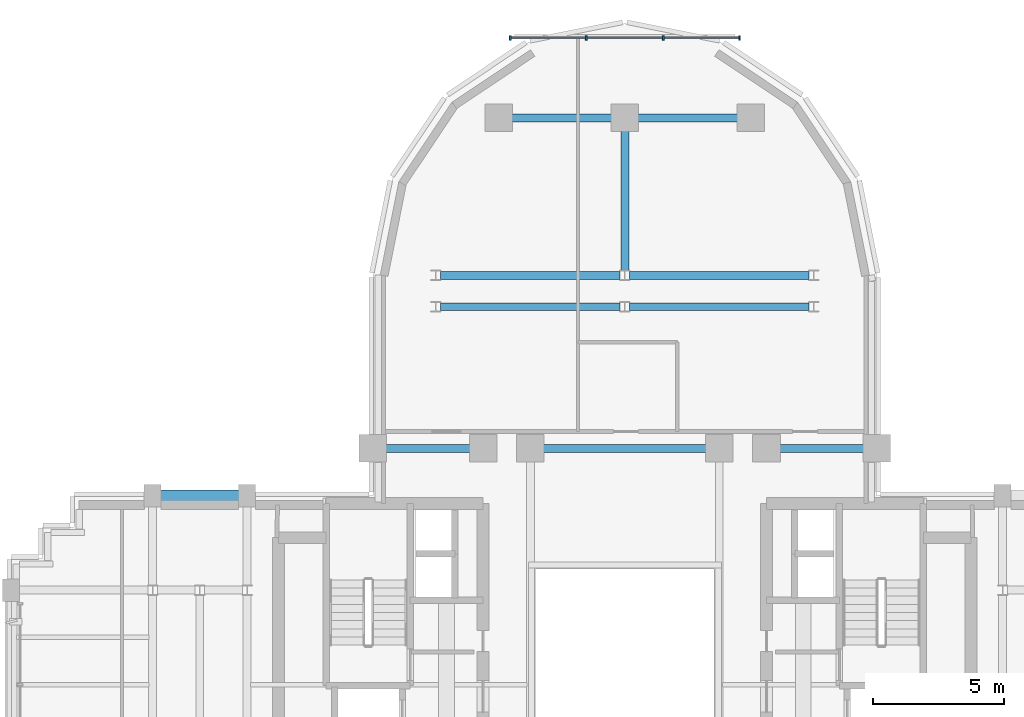
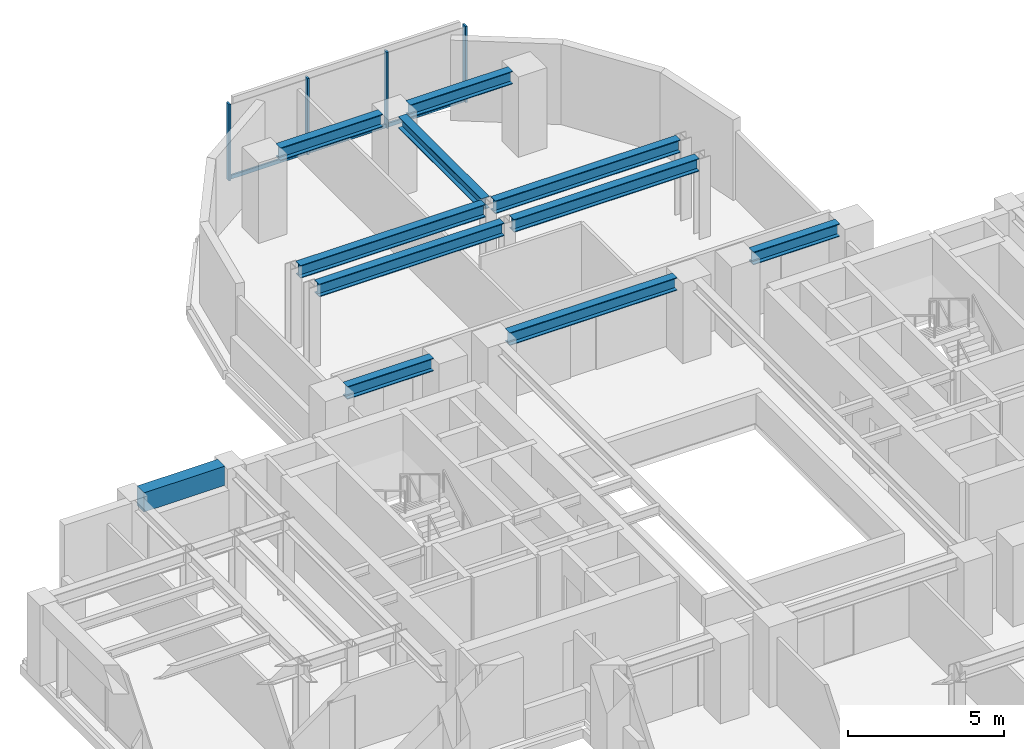
# One storey, part 6 of 13: 11 beams, 7 members, 1 element without a shape of its own.
"""IFC4 building model written with IfcOpenShell, lengths in metres."""

from ifc_helpers import new_model, si_unit, direction, frame, origin, origin_2d, place, context, subcontext, project, spatial, rectangle, i_section, extrude, source, transform, mapped, material, material_profile, profile_set, type_object, element, aggregate, save


model = new_model("IFC4")

# Units and contexts
model_context = context("Model", 3, precision=1e-05, world=origin(), true_north=direction((0.0, 1.0)))
body_context = subcontext(model_context, "Body", "Model", "MODEL_VIEW")
ifc_project = project(units=[si_unit("LENGTHUNIT", "METRE"), si_unit("AREAUNIT", "SQUARE_METRE"), si_unit("VOLUMEUNIT", "CUBIC_METRE"), si_unit("PLANEANGLEUNIT", "RADIAN"), si_unit("MASSUNIT", "GRAM", prefix="KILO")], contexts=[model_context])

# Site, building, storey
site_placement = place(None, origin())
site = spatial("IfcSite", under=ifc_project, at=site_placement, CompositionType="ELEMENT")
building_placement = place(site_placement, origin())
building = spatial("IfcBuilding", under=site, at=building_placement, Name="Keilestroom Media Tower", CompositionType="ELEMENT")
storey_placement = place(building_placement, frame((0.0, 0.0, 148.199951171875)))
storey = spatial("IfcBuildingStorey", under=building, at=storey_placement, Name="L40", CompositionType="ELEMENT", Elevation=148.199951171875)

# Beams
ifc_material_1 = material(Name="Steel S355", Category="steel")
ifc_material_profile_1 = material_profile(ifc_material_1, i_section(OverallWidth=0.300048828125, OverallDepth=0.5, WebThickness=0.012451171875, FlangeThickness=0.028076171875, at=origin_2d()), Name="HEB 500")
ifc_profile_set_1 = profile_set([ifc_material_profile_1], Name="Steel S355")
beam_type_1 = type_object("IfcBeamType", Name="Primary-Structural-Girder-HEB-500", PredefinedType="BEAM", material=ifc_profile_set_1)
shared_shape_1 = source(origin(), body_context, "Body", "SweptSolid", [
    extrude(i_section(OverallWidth=0.300048828125, OverallDepth=0.5, WebThickness=0.012451171875, FlangeThickness=0.028076171875, at=origin_2d()), origin(), (0.0, 0.0, 1.0), 3.7900390625),
])
for number, where, z_axis, x_axis, name in (
    (1, (-4.294921875, 21.60009765625, 2.89013671875), (1.0, 0.0, 0.0), (0.0, 1.0, 0.0), "L40 Beam BG-6 BM-L40-EW-037"),
    (2, (0.5048828125, 21.60009765625, 2.89013671875), (1.0, 0.0, 0.0), (0.0, 1.0, 0.0), "L40 Beam BG-6 BM-L40-EW-038"),
):
    element("IfcBeam", number, at=place(storey_placement, frame(where, z_axis=z_axis, x_axis=x_axis)), inside=storey, type_object=beam_type_1, Name=name, PredefinedType="BEAM", context=body_context, shape_type="MappedRepresentation", body=[
        mapped(shared_shape_1, transform((0.0, 0.0, 0.0), x_axis=(1.0, 0.0, 0.0), y_axis=(0.0, 1.0, 0.0), z_axis=(0.0, 0.0, 1.0), scale=1.0)),
    ])
shared_shape_2 = source(origin(), body_context, "Body", "SweptSolid", [
    extrude(i_section(OverallWidth=0.300048828125, OverallDepth=0.5, WebThickness=0.012451171875, FlangeThickness=0.028076171875, at=origin_2d()), origin(), (0.0, 0.0, 1.0), 6.839111328125),
])
for number, where, z_axis, x_axis, name in (
    (3, (-7.01953125, 14.39990234375, 2.89013671875), (1.0, 0.0, 0.0), (0.0, 1.0, 0.0), "L40 Beam BG-6 BM-L40-EW-033"),
    (4, (0.180419921875, 14.39990234375, 2.89013671875), (1.0, 0.0, 0.0), (0.0, 1.0, 0.0), "L40 Beam BG-6 BM-L40-EW-034"),
    (5, (-7.01953125, 15.60009765625, 2.89013671875), (1.0, 0.0, 0.0), (0.0, 1.0, 0.0), "L40 Beam BG-6 BM-L40-EW-035"),
    (6, (0.180419921875, 15.60009765625, 2.89013671875), (1.0, 0.0, 0.0), (0.0, 1.0, 0.0), "L40 Beam BG-6 BM-L40-EW-036"),
):
    element("IfcBeam", number, at=place(storey_placement, frame(where, z_axis=z_axis, x_axis=x_axis)), inside=storey, type_object=beam_type_1, Name=name, PredefinedType="BEAM", context=body_context, shape_type="MappedRepresentation", body=[
        mapped(shared_shape_2, transform((0.0, 0.0, 0.0), x_axis=(1.0, 0.0, 0.0), y_axis=(0.0, 1.0, 0.0), z_axis=(0.0, 0.0, 1.0), scale=1.0)),
    ])
shared_shape_3 = source(origin(), body_context, "Body", "SweptSolid", [
    extrude(i_section(OverallWidth=0.300048828125, OverallDepth=0.5, WebThickness=0.012451171875, FlangeThickness=0.028076171875, at=origin_2d()), origin(), (0.0, 0.0, 1.0), 3.18994140625),
])
for number, where, z_axis, x_axis, name in (
    (7, (-9.094970703125, 9.0, 2.89013671875), (1.0, 0.0, 0.0), (0.0, 1.0, 0.0), "L40 Beam BG-6 BM-L40-EW-028"),
    (8, (5.905029296875, 9.0, 2.89013671875), (1.0, 0.0, 0.0), (0.0, 1.0, 0.0), "L40 Beam BG-6 BM-L40-EW-032"),
):
    element("IfcBeam", number, at=place(storey_placement, frame(where, z_axis=z_axis, x_axis=x_axis)), inside=storey, type_object=beam_type_1, Name=name, PredefinedType="BEAM", context=body_context, shape_type="MappedRepresentation", body=[
        mapped(shared_shape_3, transform((0.0, 0.0, 0.0), x_axis=(1.0, 0.0, 0.0), y_axis=(0.0, 1.0, 0.0), z_axis=(0.0, 0.0, 1.0), scale=1.0)),
    ])
shared_shape_4 = source(origin(), body_context, "Body", "SweptSolid", [
    extrude(i_section(OverallWidth=0.300048828125, OverallDepth=0.5, WebThickness=0.012451171875, FlangeThickness=0.028076171875, at=origin_2d()), origin(), (0.0, 0.0, 1.0), 6.18994140625),
])
beam_1_placement = place(storey_placement, frame((-3.094970703125, 9.0, 2.89013671875), z_axis=(1.0, 0.0, 0.0), x_axis=(0.0, 1.0, 0.0)))
element("IfcBeam", 9, at=beam_1_placement, inside=storey, type_object=beam_type_1, Name="L40 Beam BG-6 BM-L40-EW-030", PredefinedType="BEAM", context=body_context, shape_type="MappedRepresentation", body=[
    mapped(shared_shape_4, transform((0.0, 0.0, 0.0), x_axis=(1.0, 0.0, 0.0), y_axis=(0.0, 1.0, 0.0), z_axis=(0.0, 0.0, 1.0), scale=1.0)),
])
ifc_material_2 = material(Name="Precast concrete C40/50", Category="concrete")
ifc_material_profile_2 = material_profile(ifc_material_2, rectangle(XDim=0.449951171875, YDim=0.75, at=origin_2d()), Name="PC 450x750")
ifc_profile_set_2 = profile_set([ifc_material_profile_2], Name="Precast concrete C40/50")
beam_type_2 = type_object("IfcBeamType", Name="Perimeter-Spandrel-Beam-PC-450x750", PredefinedType="SPANDREL", material=ifc_profile_set_2)
shared_shape_5 = source(origin(), body_context, "Body", "SweptSolid", [
    extrude(rectangle(XDim=0.449951171875, YDim=0.75, at=origin_2d()), origin(), (0.0, 0.0, 1.0), 2.989990234375),
])
beam_2_placement = place(storey_placement, frame((-17.695068359375, 7.199951171875, 2.76513671875), z_axis=(1.0, 0.0, 0.0), x_axis=(0.0, 1.0, 0.0)))
element("IfcBeam", 10, at=beam_2_placement, inside=storey, type_object=beam_type_2, Name="L40 Beam SPB-1 BM-L40-EW-026", PredefinedType="SPANDREL", context=body_context, shape_type="MappedRepresentation", body=[
    mapped(shared_shape_5, transform((0.0, 0.0, 0.0), x_axis=(1.0, 0.0, 0.0), y_axis=(0.0, 1.0, 0.0), z_axis=(0.0, 0.0, 1.0), scale=1.0)),
])
ifc_material_profile_3 = material_profile(ifc_material_1, i_section(OverallWidth=0.300048828125, OverallDepth=0.449951171875, WebThickness=0.011962890625, FlangeThickness=0.02587890625, at=origin_2d()), Name="HEB 450")
ifc_profile_set_3 = profile_set([ifc_material_profile_3], Name="Steel S355")
beam_type_3 = type_object("IfcBeamType", Name="Primary-Structural-Girder-HEB-450", PredefinedType="BEAM", material=ifc_profile_set_3)
shared_shape_6 = source(origin(), body_context, "Body", "SweptSolid", [
    extrude(i_section(OverallWidth=0.300048828125, OverallDepth=0.449951171875, WebThickness=0.011962890625, FlangeThickness=0.02587890625, at=origin_2d()), origin(), (0.0, 0.0, 1.0), 5.3154296875),
])
beam_3_placement = place(storey_placement, frame((0.0, 15.779541015625, 2.9150390625), z_axis=(0.0, 1.0, 0.0), x_axis=(-1.0, 0.0, 0.0)))
element("IfcBeam", 11, at=beam_3_placement, inside=storey, type_object=beam_type_3, Name="L40 Beam BG-7 BM-L40-NS-055", PredefinedType="BEAM", context=body_context, shape_type="MappedRepresentation", body=[
    mapped(shared_shape_6, transform((0.0, 0.0, 0.0), x_axis=(1.0, 0.0, 0.0), y_axis=(0.0, 1.0, 0.0), z_axis=(0.0, 0.0, 1.0), scale=1.0)),
])

# Curtain wall, members
ifc_material_3 = material(Name="Anodised Aluminium Alloy", Category="aluminium")
curtain_wall_type = type_object("IfcCurtainWallType", Name="Unitised-Curtain-Wall-CW-6", PredefinedType="NOTDEFINED", material=ifc_material_3)
curtain_wall_placement = place(storey_placement, origin())
curtain_wall = element("IfcCurtainWall", 12, at=curtain_wall_placement, inside=storey, type_object=curtain_wall_type, Name="L40 Curtain Wall CW-6 CW-L40-LN-1", PredefinedType="NOTDEFINED")
ifc_material_profile_4 = material_profile(ifc_material_3, rectangle(XDim=0.06494140625, YDim=0.179931640625, at=origin_2d()), Name="ALU MULLION 65x180")
ifc_profile_set_4 = profile_set([ifc_material_profile_4], Name="Anodised Aluminium Alloy")
member_type_1 = type_object("IfcMemberType", Name="Curtain-Wall-Mullion-CW-6", PredefinedType="MULLION", material=ifc_profile_set_4)
shared_shape_7 = source(origin(), body_context, "Body", "SweptSolid", [
    extrude(rectangle(XDim=0.06494140625, YDim=0.179931640625, at=origin_2d()), origin(), (0.0, 0.0, 1.0), 2.97998046875),
])
member_1_placement = place(storey_placement, frame((-4.367431640625, 24.64990234375, 0.0), z_axis=(0.0, 0.0, 1.0), x_axis=(1.0, 0.0, 0.0)))
member_1 = element("IfcMember", 13, at=member_1_placement, type_object=member_type_1, Name="CW-6 Mullion 00", PredefinedType="MULLION", context=body_context, shape_type="MappedRepresentation", body=[
    mapped(shared_shape_7, transform((0.0, 0.0, 0.0), x_axis=(1.0, 0.0, 0.0), y_axis=(0.0, 1.0, 0.0), z_axis=(0.0, 0.0, 1.0), scale=1.0)),
])
member_2_placement = place(storey_placement, frame((-1.466796875, 24.64990234375, 0.0), z_axis=(0.0, 0.0, 1.0), x_axis=(1.0, 0.0, 0.0)))
member_2 = element("IfcMember", 14, at=member_2_placement, type_object=member_type_1, Name="CW-6 Mullion 01", PredefinedType="MULLION", context=body_context, shape_type="MappedRepresentation", body=[
    mapped(shared_shape_7, transform((0.0, 0.0, 0.0), x_axis=(1.0, 0.0, 0.0), y_axis=(0.0, 1.0, 0.0), z_axis=(0.0, 0.0, 1.0), scale=1.0)),
])
member_3_placement = place(storey_placement, frame((1.466796875, 24.64990234375, 0.0), z_axis=(0.0, 0.0, 1.0), x_axis=(1.0, 0.0, 0.0)))
member_3 = element("IfcMember", 15, at=member_3_placement, type_object=member_type_1, Name="CW-6 Mullion 02", PredefinedType="MULLION", context=body_context, shape_type="MappedRepresentation", body=[
    mapped(shared_shape_7, transform((0.0, 0.0, 0.0), x_axis=(1.0, 0.0, 0.0), y_axis=(0.0, 1.0, 0.0), z_axis=(0.0, 0.0, 1.0), scale=1.0)),
])
member_4_placement = place(storey_placement, frame((4.367431640625, 24.64990234375, 0.0), z_axis=(0.0, 0.0, 1.0), x_axis=(1.0, 0.0, 0.0)))
member_4 = element("IfcMember", 16, at=member_4_placement, type_object=member_type_1, Name="CW-6 Mullion 03", PredefinedType="MULLION", context=body_context, shape_type="MappedRepresentation", body=[
    mapped(shared_shape_7, transform((0.0, 0.0, 0.0), x_axis=(1.0, 0.0, 0.0), y_axis=(0.0, 1.0, 0.0), z_axis=(0.0, 0.0, 1.0), scale=1.0)),
])
ifc_material_profile_5 = material_profile(ifc_material_3, rectangle(XDim=0.06494140625, YDim=0.14990234375, at=origin_2d()), Name="ALU TRANSOM 65x150")
ifc_profile_set_5 = profile_set([ifc_material_profile_5], Name="Anodised Aluminium Alloy")
member_type_2 = type_object("IfcMemberType", Name="Curtain-Wall-Transom-CW-6", PredefinedType="USERDEFINED", material=ifc_profile_set_5)
shared_shape_8 = source(origin(), body_context, "Body", "SweptSolid", [
    extrude(rectangle(XDim=0.06494140625, YDim=0.14990234375, at=origin_2d()), origin(), (0.0, 0.0, 1.0), 2.839599609375),
])
member_5_placement = place(storey_placement, frame((-4.3369140625, 24.64990234375, 0.074951171875), z_axis=(1.0, 0.0, 0.0), x_axis=(0.0, 1.0, 0.0)))
member_5 = element("IfcMember", 17, at=member_5_placement, type_object=member_type_2, Name="CW-6 Transom 00.1", ObjectType="TRANSOM", PredefinedType="USERDEFINED", context=body_context, shape_type="MappedRepresentation", body=[
    mapped(shared_shape_8, transform((0.0, 0.0, 0.0), x_axis=(1.0, 0.0, 0.0), y_axis=(0.0, 1.0, 0.0), z_axis=(0.0, 0.0, 1.0), scale=1.0)),
])
member_6_placement = place(storey_placement, frame((1.497314453125, 24.64990234375, 0.074951171875), z_axis=(1.0, 0.0, 0.0), x_axis=(0.0, 1.0, 0.0)))
member_6 = element("IfcMember", 18, at=member_6_placement, type_object=member_type_2, Name="CW-6 Transom 02.1", ObjectType="TRANSOM", PredefinedType="USERDEFINED", context=body_context, shape_type="MappedRepresentation", body=[
    mapped(shared_shape_8, transform((0.0, 0.0, 0.0), x_axis=(1.0, 0.0, 0.0), y_axis=(0.0, 1.0, 0.0), z_axis=(0.0, 0.0, 1.0), scale=1.0)),
])
shared_shape_9 = source(origin(), body_context, "Body", "SweptSolid", [
    extrude(rectangle(XDim=0.06494140625, YDim=0.14990234375, at=origin_2d()), origin(), (0.0, 0.0, 1.0), 2.87255859375),
])
member_7_placement = place(storey_placement, frame((-1.436279296875, 24.64990234375, 0.074951171875), z_axis=(1.0, 0.0, 0.0), x_axis=(0.0, 1.0, 0.0)))
member_7 = element("IfcMember", 19, at=member_7_placement, type_object=member_type_2, Name="CW-6 Transom 01.1", ObjectType="TRANSOM", PredefinedType="USERDEFINED", context=body_context, shape_type="MappedRepresentation", body=[
    mapped(shared_shape_9, transform((0.0, 0.0, 0.0), x_axis=(1.0, 0.0, 0.0), y_axis=(0.0, 1.0, 0.0), z_axis=(0.0, 0.0, 1.0), scale=1.0)),
])
aggregate(curtain_wall, [member_1, member_2, member_3, member_4, member_5, member_7, member_6])

save(model, "model.ifc")
